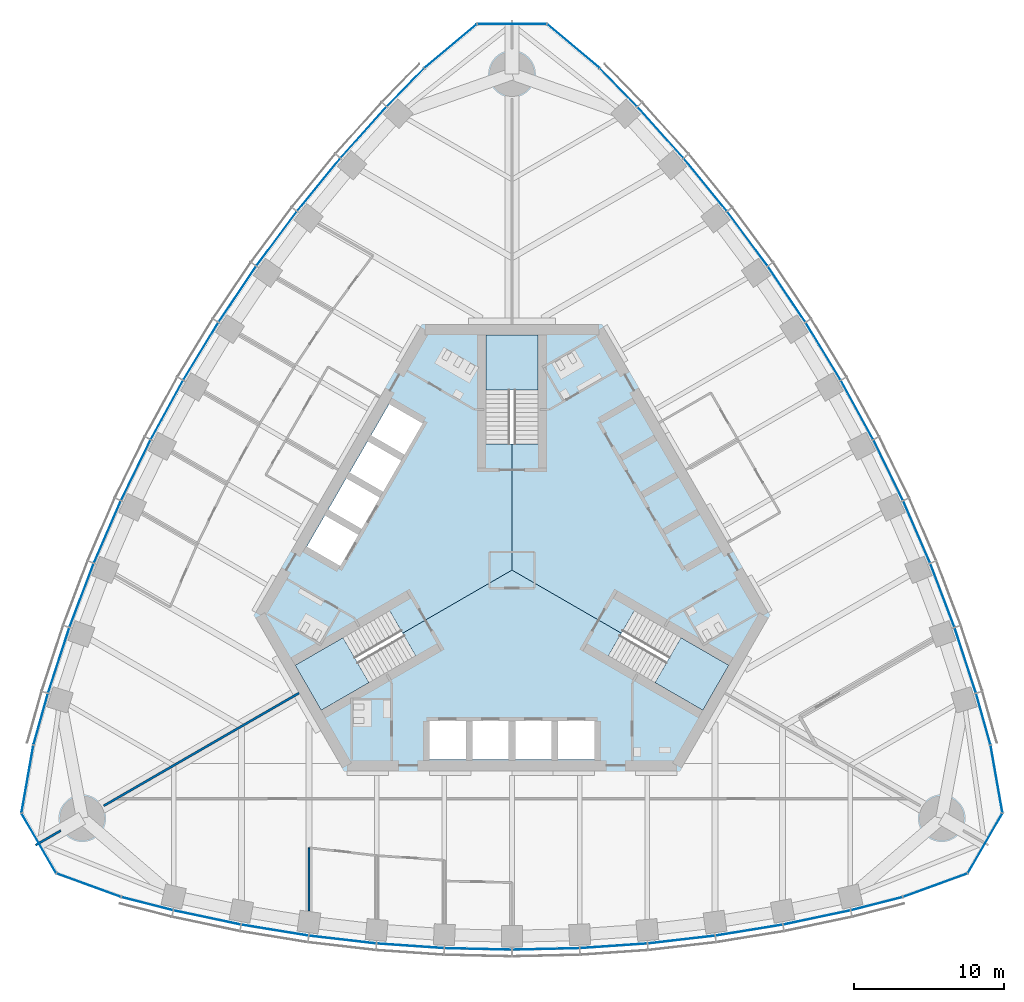
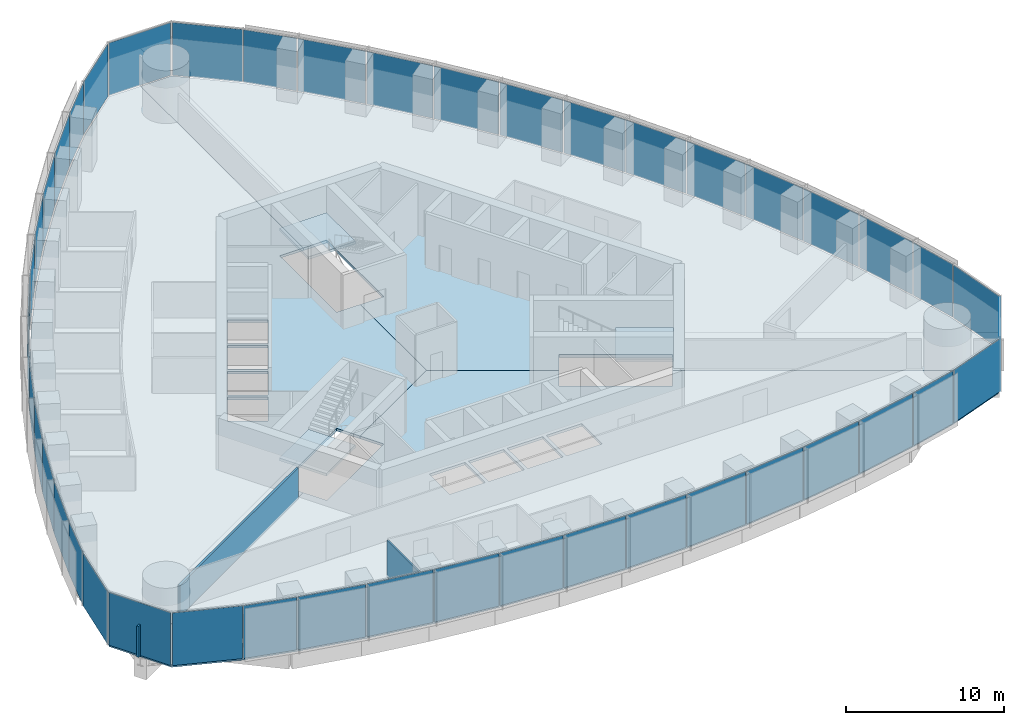
# One storey, part 10 of 19: 45 plates, 6 slabs, 3 walls, 9 elements without a shape of their own.
"""IFC4 building model written with IfcOpenShell, lengths in metres."""

import ifcopenshell
import ifcopenshell.guid

model = None  # the IFC model being written
_history = None  # IfcOwnerHistory: only IFC2X3 demands one
_inside = {}  # id of a spatial element -> (the spatial element, [elements in it])
_under = {}  # id of a project, library or spatial element -> (it, [spatial elements below it])
_declared = {}  # id of a project -> (the project, [libraries it declares])
_typed = {}  # id of a type object -> (the type object, [elements of that type])
_made_of = {}  # id of a material, layer set ... -> (it, [elements and type objects made of it])


def new_model(schema):
    """Start an empty IFC model of exactly this schema.

    Asked for "IFC4X3", IfcOpenShell would pick the latest addendum, in which some entities
    have other attributes; the version numbers below select the first issue.
    IFC2X3 requires an IfcOwnerHistory on every rooted entity: one is made here for all.
    """
    global model, _history
    if schema == "IFC4X3":
        model = ifcopenshell.file(schema_version=(4, 3, 0, 0))
    else:
        model = ifcopenshell.file(schema=schema)
    _inside.clear()
    _under.clear()
    _declared.clear()
    _typed.clear()
    _made_of.clear()
    _history = None
    if model.schema == "IFC2X3":
        org = make("IfcOrganization", Name="unknown")
        user = make(
            "IfcPersonAndOrganization",
            ThePerson=make("IfcPerson", FamilyName="unknown"),
            TheOrganization=org,
        )
        app = make(
            "IfcApplication",
            ApplicationDeveloper=org,
            Version="unknown",
            ApplicationFullName="unknown",
            ApplicationIdentifier="unknown",
        )
        _history = make(
            "IfcOwnerHistory",
            OwningUser=user,
            OwningApplication=app,
            ChangeAction="ADDED",
            CreationDate=0,
        )
    return model


def make(cls, **values):
    """One entity of the class cls with the attributes given. An attribute that is None is left unset."""
    return model.create_entity(
        cls, **{name: value for name, value in values.items() if value is not None}
    )


def rooted(cls, **values):
    """An entity with a GlobalId (a new one), such as an element, a storey or a relation."""
    return make(cls, GlobalId=ifcopenshell.guid.new(), OwnerHistory=_history, **values)


def si_unit(unit_type, name, prefix=None):
    """IfcSIUnit, for example si_unit("LENGTHUNIT", "METRE", prefix="MILLI")."""
    return make("IfcSIUnit", UnitType=unit_type, Prefix=prefix, Name=name)


def assignment(units):
    """IfcUnitAssignment: the units of a project."""
    return None if units is None else make("IfcUnitAssignment", Units=units)


def point(xyz):
    """IfcCartesianPoint."""
    return None if xyz is None else make("IfcCartesianPoint", Coordinates=xyz)


def direction(xyz):
    """IfcDirection."""
    return None if xyz is None else make("IfcDirection", DirectionRatios=xyz)


def frame(location, z_axis=None, x_axis=None):
    """IfcAxis2Placement3D, a coordinate frame: its origin and axes. An axis left out is left unset."""
    return make(
        "IfcAxis2Placement3D",
        Location=point(location),
        Axis=direction(z_axis),
        RefDirection=direction(x_axis),
    )


def frame_2d(location, x_axis=None):
    """IfcAxis2Placement2D, a coordinate frame in the plane: its origin and x axis."""
    return make(
        "IfcAxis2Placement2D", Location=point(location), RefDirection=direction(x_axis)
    )


def origin():
    """The frame at (0, 0, 0) with its axes left unset."""
    return frame((0.0, 0.0, 0.0))


def origin_2d():
    """The frame at (0, 0) in the plane with its x axis left unset."""
    return frame_2d((0.0, 0.0))


def place(relative_to, where):
    """IfcLocalPlacement: puts the frame where relative to a parent placement (None: the world)."""
    return make(
        "IfcLocalPlacement", PlacementRelTo=relative_to, RelativePlacement=where
    )


def context(
    kind, dimensions, precision=None, world=None, true_north=None, identifier=None
):
    """IfcGeometricRepresentationContext, for example the 3D "Model" context."""
    return make(
        "IfcGeometricRepresentationContext",
        ContextIdentifier=identifier,
        ContextType=kind,
        CoordinateSpaceDimension=dimensions,
        Precision=precision,
        WorldCoordinateSystem=world,
        TrueNorth=true_north,
    )


def subcontext(parent, identifier, kind, view, scale=None):
    """IfcGeometricRepresentationSubContext, for example "Body" below "Model"."""
    return make(
        "IfcGeometricRepresentationSubContext",
        ContextIdentifier=identifier,
        ContextType=kind,
        ParentContext=parent,
        TargetScale=scale,
        TargetView=view,
    )


def project(units=None, contexts=None):
    """IfcProject with its units and contexts."""
    return rooted(
        "IfcProject",
        Name="project",
        RepresentationContexts=contexts,
        UnitsInContext=assignment(units),
    )


def spatial(cls, under=None, at=None, **own):
    """A site, building, storey or space (cls), placed at a placement, below another one or the project."""
    s = rooted(cls, ObjectPlacement=at, **own)
    if under is not None:
        _under.setdefault(under.id(), (under, []))[1].append(s)
    return s


def polyline(points):
    """IfcPolyline through the points."""
    return make("IfcPolyline", Points=[point(p) for p in points])


def profile(cls, at=None, kind="AREA", **sizes):
    """A parametric profile (cls). Its sizes go by their IFC names, for example OverallWidth=200.0."""
    return make(cls, ProfileType=kind, Position=at, **sizes)


def rectangle(**sizes):
    """IfcRectangleProfileDef."""
    return profile("IfcRectangleProfileDef", **sizes)


def outline(outer, holes=None, kind="AREA"):
    """IfcArbitraryClosedProfileDef: a profile drawn as a closed curve; with holes, ...WithVoids."""
    if holes is None:
        return make("IfcArbitraryClosedProfileDef", ProfileType=kind, OuterCurve=outer)
    return make(
        "IfcArbitraryProfileDefWithVoids",
        ProfileType=kind,
        OuterCurve=outer,
        InnerCurves=holes,
    )


def extrude(swept, where, along, depth):
    """IfcExtrudedAreaSolid: the profile swept, set in the frame where, extruded along a direction by depth."""
    return make(
        "IfcExtrudedAreaSolid",
        SweptArea=swept,
        Position=where,
        ExtrudedDirection=direction(along),
        Depth=depth,
    )


def shape(context_of_items, identifier, shape_type, items):
    """IfcShapeRepresentation: the items that make up one representation, for example the "Body"."""
    return make(
        "IfcShapeRepresentation",
        ContextOfItems=context_of_items,
        RepresentationIdentifier=identifier,
        RepresentationType=shape_type,
        Items=items,
    )


def material(Name=None, Category=None):
    """IfcMaterial."""
    return make("IfcMaterial", Name=Name, Category=Category)


def layer(
    of_material, thickness, ventilated=None, Name=None, Category=None, Priority=None
):
    """IfcMaterialLayer: one layer of a wall or slab, of a material (None: an air gap)."""
    return make(
        "IfcMaterialLayer",
        Material=of_material,
        LayerThickness=thickness,
        IsVentilated=ventilated,
        Name=Name,
        Category=Category,
        Priority=Priority,
    )


def layer_set(layers, Name=None):
    """IfcMaterialLayerSet."""
    return make("IfcMaterialLayerSet", MaterialLayers=layers, LayerSetName=Name)


def made_of(thing, what):
    """Note that an element or type object is made of a material, layer set ...; save() writes the relation."""
    if what is not None:
        _made_of.setdefault(what.id(), (what, []))[1].append(thing)
    return thing


def type_object(cls, material=None, **own):
    """A type object (cls), such as IfcWallType, which elements share."""
    return made_of(rooted(cls, **own), material)


def element(
    cls,
    number,
    at=None,
    inside=None,
    cuts=None,
    type_object=None,
    material=None,
    context=None,
    identifier="Body",
    shape_type=None,
    held_by="IfcProductDefinitionShape",
    body=None,
    shapes=None,
    **own,
):
    """One element of the class cls, such as IfcWall. Its Tag is "e" and its number.

    at: its placement. inside: the storey or other place that contains it. cuts: it is an
    opening in that element (IfcRelVoidsElement). A single representation is given by context,
    identifier, shape_type and body (its items); several are given by shapes. held_by: the class
    of the entity that holds the representations. save() writes the other relations.
    """
    e = rooted(cls, Tag="e%d" % number, ObjectPlacement=at, **own)
    if body is not None:
        shapes = [shape(context, identifier, shape_type, body)]
    if shapes is not None:
        e.Representation = make(held_by, Representations=shapes)
    if inside is not None:
        _inside.setdefault(inside.id(), (inside, []))[1].append(e)
    if cuts is not None:
        rooted(
            "IfcRelVoidsElement", RelatingBuildingElement=cuts, RelatedOpeningElement=e
        )
    if type_object is not None:
        _typed.setdefault(type_object.id(), (type_object, []))[1].append(e)
    return made_of(e, material)


def aggregate(whole, parts):
    """IfcRelAggregates: a whole, such as a stair, and the parts it consists of."""
    return rooted("IfcRelAggregates", RelatingObject=whole, RelatedObjects=parts)


def save(model, path):
    """Write the relations noted so far, then the file.

    IfcRelAggregates (storeys below a building ...), IfcRelContainedInSpatialStructure (elements
    in a storey), IfcRelDefinesByType, IfcRelAssociatesMaterial and IfcRelDeclares: one each for
    every whole, place, type object, material and project.
    """
    for whole, parts in _under.values():
        aggregate(whole, parts)
    for where, things in _inside.values():
        rooted(
            "IfcRelContainedInSpatialStructure",
            RelatedElements=things,
            RelatingStructure=where,
        )
    for kind, things in _typed.values():
        rooted("IfcRelDefinesByType", RelatedObjects=things, RelatingType=kind)
    for what, things in _made_of.values():
        rooted("IfcRelAssociatesMaterial", RelatedObjects=things, RelatingMaterial=what)
    for by, libraries in _declared.values():
        rooted("IfcRelDeclares", RelatingContext=by, RelatedDefinitions=libraries)
    model.write(path)


model = new_model("IFC4")

# Units and contexts
model_context = context("Model", 3, precision=1e-05, world=origin(), true_north=direction((0.0, 1.0)))
body_context = subcontext(model_context, "Body", "Model", "MODEL_VIEW")
ifc_project = project(units=[si_unit("LENGTHUNIT", "METRE"), si_unit("AREAUNIT", "SQUARE_METRE"), si_unit("VOLUMEUNIT", "CUBIC_METRE"), si_unit("PLANEANGLEUNIT", "RADIAN"), si_unit("MASSUNIT", "GRAM", prefix="KILO")], contexts=[model_context])

# Site, building, storey
site_placement = place(None, origin())
site = spatial("IfcSite", under=ifc_project, at=site_placement, CompositionType="ELEMENT")
building_placement = place(site_placement, origin())
building = spatial("IfcBuilding", under=site, at=building_placement, Name="Trefoil Bronze Tower", CompositionType="ELEMENT")
storey_placement = place(building_placement, frame((0.0, 0.0, 248.5)))
storey = spatial("IfcBuildingStorey", under=building, at=storey_placement, Name="L57", CompositionType="ELEMENT", Elevation=248.5)

# Curtain wall, plates
ifc_material_1 = material(Name="Tinted solar-control glass", Category="glass")
curtain_wall_type_1 = type_object("IfcCurtainWallType", Name="Bronze office curtain wall", PredefinedType="USERDEFINED", material=ifc_material_1)
curtain_wall_1_placement = place(storey_placement, origin())
curtain_wall_1 = element("IfcCurtainWall", 1, at=curtain_wall_1_placement, inside=storey, type_object=curtain_wall_type_1, Name="CW-A L57 F1", ObjectType="CURTAIN WALL", PredefinedType="USERDEFINED")
ifc_material_2 = material(Name="Tinted solar-control glass", Category="glass")
ifc_layer_1 = layer(ifc_material_2, 0.030029296875)
ifc_layer_set_1 = layer_set([ifc_layer_1], Name="Bronze office curtain wall glass panel")
plate_type_1 = type_object("IfcPlateType", Name="Bronze office curtain wall glass panel", PredefinedType="CURTAIN_PANEL", material=ifc_layer_set_1)
plate_1_placement = place(storey_placement, frame((-24.251220703125, -22.188232421875, 0.0), z_axis=(0.0, 0.0, 1.0), x_axis=(0.968934035393, -0.247319297786, 0.0)))
plate_1 = element("IfcPlate", 2, at=plate_1_placement, type_object=plate_type_1, Name="CW-A L57 F1 panel 1", PredefinedType="CURTAIN_PANEL", context=body_context, shape_type="SweptSolid", body=[
    extrude(rectangle(XDim=3.483642578125, YDim=0.030029296875, at=origin_2d()), origin(), (0.0, 0.0, 1.0), 4.080078125),
])
plate_2_placement = place(storey_placement, frame((-20.270751953125, -23.105224609375, 0.0), z_axis=(0.0, 0.0, 1.0), x_axis=(0.978394335897, -0.20674748725, 0.0)))
plate_2 = element("IfcPlate", 3, at=plate_2_placement, type_object=plate_type_1, Name="CW-A L57 F1 panel 2", PredefinedType="CURTAIN_PANEL", context=body_context, shape_type="SweptSolid", body=[
    extrude(rectangle(XDim=4.519287109375, YDim=0.030029296875, at=origin_2d()), origin(), (0.0, 0.0, 1.0), 4.080078125),
])
plate_3_placement = place(storey_placement, frame((-15.76611328125, -23.9482421875, 0.0), z_axis=(0.0, 0.0, 1.0), x_axis=(0.986986549528, -0.160802832848, 0.0)))
plate_3 = element("IfcPlate", 4, at=plate_3_placement, type_object=plate_type_1, Name="CW-A L57 F1 panel 3", PredefinedType="CURTAIN_PANEL", context=body_context, shape_type="SweptSolid", body=[
    extrude(rectangle(XDim=4.479248046875, YDim=0.030029296875, at=origin_2d()), origin(), (0.0, 0.0, 1.0), 4.080078125),
])
plate_4_placement = place(storey_placement, frame((-11.261474609375, -24.57568359375, 0.0), z_axis=(0.0, 0.0, 1.0), x_axis=(0.993381831741, -0.114858767043, 0.0)))
plate_4 = element("IfcPlate", 5, at=plate_4_placement, type_object=plate_type_1, Name="CW-A L57 F1 panel 4", PredefinedType="CURTAIN_PANEL", context=body_context, shape_type="SweptSolid", body=[
    extrude(rectangle(XDim=4.449951171875, YDim=0.030029296875, at=origin_2d()), origin(), (0.0, 0.0, 1.0), 4.080078125),
])
plate_5_placement = place(storey_placement, frame((-6.7568359375, -24.991455078125, 0.0), z_axis=(0.0, 0.0, 1.0), x_axis=(0.99762252804, -0.068915103905, 0.0)))
plate_5 = element("IfcPlate", 6, at=plate_5_placement, type_object=plate_type_1, Name="CW-A L57 F1 panel 5", PredefinedType="CURTAIN_PANEL", context=body_context, shape_type="SweptSolid", body=[
    extrude(rectangle(XDim=4.4306640625, YDim=0.030029296875, at=origin_2d()), origin(), (0.0, 0.0, 1.0), 4.080078125),
])
plate_6_placement = place(storey_placement, frame((-2.252197265625, -25.198974609375, 0.0), z_axis=(0.0, 0.0, 1.0), x_axis=(0.999736116243, -0.022971675577, 0.0)))
plate_6 = element("IfcPlate", 7, at=plate_6_placement, type_object=plate_type_1, Name="CW-A L57 F1 panel 6", PredefinedType="CURTAIN_PANEL", context=body_context, shape_type="SweptSolid", body=[
    extrude(rectangle(XDim=4.421142578125, YDim=0.030029296875, at=origin_2d()), origin(), (0.0, 0.0, 1.0), 4.080078125),
])
plate_7_placement = place(storey_placement, frame((2.252197265625, -25.198974609375, 0.0), z_axis=(0.0, 0.0, 1.0), x_axis=(0.999736116243, 0.022971675577, 0.0)))
plate_7 = element("IfcPlate", 8, at=plate_7_placement, type_object=plate_type_1, Name="CW-A L57 F1 panel 7", PredefinedType="CURTAIN_PANEL", context=body_context, shape_type="SweptSolid", body=[
    extrude(rectangle(XDim=4.421142578125, YDim=0.030029296875, at=origin_2d()), origin(), (0.0, 0.0, 1.0), 4.080078125),
])
plate_8_placement = place(storey_placement, frame((6.7568359375, -24.991455078125, 0.0), z_axis=(0.0, 0.0, 1.0), x_axis=(0.99762252804, 0.068915103905, 0.0)))
plate_8 = element("IfcPlate", 9, at=plate_8_placement, type_object=plate_type_1, Name="CW-A L57 F1 panel 8", PredefinedType="CURTAIN_PANEL", context=body_context, shape_type="SweptSolid", body=[
    extrude(rectangle(XDim=4.4306640625, YDim=0.030029296875, at=origin_2d()), origin(), (0.0, 0.0, 1.0), 4.080078125),
])
plate_9_placement = place(storey_placement, frame((11.261474609375, -24.57568359375, 0.0), z_axis=(0.0, 0.0, 1.0), x_axis=(0.993381831741, 0.114858767043, 0.0)))
plate_9 = element("IfcPlate", 10, at=plate_9_placement, type_object=plate_type_1, Name="CW-A L57 F1 panel 9", PredefinedType="CURTAIN_PANEL", context=body_context, shape_type="SweptSolid", body=[
    extrude(rectangle(XDim=4.449951171875, YDim=0.030029296875, at=origin_2d()), origin(), (0.0, 0.0, 1.0), 4.080078125),
])
plate_10_placement = place(storey_placement, frame((15.76611328125, -23.9482421875, 0.0), z_axis=(0.0, 0.0, 1.0), x_axis=(0.986986549528, 0.160802832848, 0.0)))
plate_10 = element("IfcPlate", 11, at=plate_10_placement, type_object=plate_type_1, Name="CW-A L57 F1 panel 10", PredefinedType="CURTAIN_PANEL", context=body_context, shape_type="SweptSolid", body=[
    extrude(rectangle(XDim=4.479248046875, YDim=0.030029296875, at=origin_2d()), origin(), (0.0, 0.0, 1.0), 4.080078125),
])
plate_11_placement = place(storey_placement, frame((20.270751953125, -23.105224609375, 0.0), z_axis=(0.0, 0.0, 1.0), x_axis=(0.978394335897, 0.20674748725, 0.0)))
plate_11 = element("IfcPlate", 12, at=plate_11_placement, type_object=plate_type_1, Name="CW-A L57 F1 panel 11", PredefinedType="CURTAIN_PANEL", context=body_context, shape_type="SweptSolid", body=[
    extrude(rectangle(XDim=4.519287109375, YDim=0.030029296875, at=origin_2d()), origin(), (0.0, 0.0, 1.0), 4.080078125),
])
plate_12_placement = place(storey_placement, frame((24.251220703125, -22.188232421875, 0.0), z_axis=(0.0, 0.0, 1.0), x_axis=(0.968934035393, 0.247319297786, 0.0)))
plate_12 = element("IfcPlate", 13, at=plate_12_placement, type_object=plate_type_1, Name="CW-A L57 F1 panel 12", PredefinedType="CURTAIN_PANEL", context=body_context, shape_type="SweptSolid", body=[
    extrude(rectangle(XDim=3.483642578125, YDim=0.030029296875, at=origin_2d()), origin(), (0.0, 0.0, 1.0), 4.080078125),
])
aggregate(curtain_wall_1, [plate_1, plate_2, plate_3, plate_4, plate_5, plate_6, plate_7, plate_8, plate_9, plate_10, plate_11, plate_12])

curtain_wall_2_placement = place(storey_placement, origin())
curtain_wall_2 = element("IfcCurtainWall", 14, at=curtain_wall_2_placement, inside=storey, type_object=curtain_wall_type_1, Name="CW-A L57 F2", ObjectType="CURTAIN WALL", PredefinedType="USERDEFINED")
plate_13_placement = place(storey_placement, frame((31.341064453125, -9.907958984375, 0.0), z_axis=(0.0, 0.0, 1.0), x_axis=(-0.270282222968, 0.962781138134, 0.0)))
plate_13 = element("IfcPlate", 15, at=plate_13_placement, type_object=plate_type_1, Name="CW-A L57 F2 panel 1", PredefinedType="CURTAIN_PANEL", context=body_context, shape_type="SweptSolid", body=[
    extrude(rectangle(XDim=3.483642578125, YDim=0.030029296875, at=origin_2d()), origin(), (0.0, 0.0, 1.0), 4.080078125),
])
plate_14_placement = place(storey_placement, frame((30.14501953125, -6.002197265625, 0.0), z_axis=(0.0, 0.0, 1.0), x_axis=(-0.310148591821, 0.950688093431, 0.0)))
plate_14 = element("IfcPlate", 16, at=plate_14_placement, type_object=plate_type_1, Name="CW-A L57 F2 panel 2", PredefinedType="CURTAIN_PANEL", context=body_context, shape_type="SweptSolid", body=[
    extrude(rectangle(XDim=4.519287109375, YDim=0.030029296875, at=origin_2d()), origin(), (0.0, 0.0, 1.0), 4.080078125),
])
plate_15_placement = place(storey_placement, frame((28.622802734375, -1.6796875, 0.0), z_axis=(0.0, 0.0, 1.0), x_axis=(-0.354233936517, 0.935156841508, 0.0)))
plate_15 = element("IfcPlate", 17, at=plate_15_placement, type_object=plate_type_1, Name="CW-A L57 F2 panel 3", PredefinedType="CURTAIN_PANEL", context=body_context, shape_type="SweptSolid", body=[
    extrude(rectangle(XDim=4.479248046875, YDim=0.030029296875, at=origin_2d()), origin(), (0.0, 0.0, 1.0), 4.080078125),
])
plate_16_placement = place(storey_placement, frame((26.913818359375, 2.53515625, 0.0), z_axis=(0.0, 0.0, 1.0), x_axis=(-0.397220305764, 0.917723285467, 0.0)))
plate_16 = element("IfcPlate", 18, at=plate_16_placement, type_object=plate_type_1, Name="CW-A L57 F2 panel 4", PredefinedType="CURTAIN_PANEL", context=body_context, shape_type="SweptSolid", body=[
    extrude(rectangle(XDim=4.449951171875, YDim=0.030029296875, at=origin_2d()), origin(), (0.0, 0.0, 1.0), 4.080078125),
])
plate_17_placement = place(storey_placement, frame((25.021728515625, 6.64404296875, 0.0), z_axis=(0.0, 0.0, 1.0), x_axis=(-0.439129033334, 0.898424004623, 0.0)))
plate_17 = element("IfcPlate", 19, at=plate_17_placement, type_object=plate_type_1, Name="CW-A L57 F2 panel 5", PredefinedType="CURTAIN_PANEL", context=body_context, shape_type="SweptSolid", body=[
    extrude(rectangle(XDim=4.4306640625, YDim=0.030029296875, at=origin_2d()), origin(), (0.0, 0.0, 1.0), 4.080078125),
])
plate_18_placement = place(storey_placement, frame((22.948974609375, 10.64892578125, 0.0), z_axis=(0.0, 0.0, 1.0), x_axis=(-0.479974003504, 0.877282711536, 0.0)))
plate_18 = element("IfcPlate", 20, at=plate_18_placement, type_object=plate_type_1, Name="CW-A L57 F2 panel 6", PredefinedType="CURTAIN_PANEL", context=body_context, shape_type="SweptSolid", body=[
    extrude(rectangle(XDim=4.421142578125, YDim=0.030029296875, at=origin_2d()), origin(), (0.0, 0.0, 1.0), 4.080078125),
])
plate_19_placement = place(storey_placement, frame((20.69677734375, 14.550048828125, 0.0), z_axis=(0.0, 0.0, 1.0), x_axis=(-0.519762112739, 0.854311035959, 0.0)))
plate_19 = element("IfcPlate", 21, at=plate_19_placement, type_object=plate_type_1, Name="CW-A L57 F2 panel 7", PredefinedType="CURTAIN_PANEL", context=body_context, shape_type="SweptSolid", body=[
    extrude(rectangle(XDim=4.421142578125, YDim=0.030029296875, at=origin_2d()), origin(), (0.0, 0.0, 1.0), 4.080078125),
])
plate_20_placement = place(storey_placement, frame((18.264892578125, 18.347412109375, 0.0), z_axis=(0.0, 0.0, 1.0), x_axis=(-0.558493494706, 0.829508900718, 0.0)))
plate_20 = element("IfcPlate", 22, at=plate_20_placement, type_object=plate_type_1, Name="CW-A L57 F2 panel 8", PredefinedType="CURTAIN_PANEL", context=body_context, shape_type="SweptSolid", body=[
    extrude(rectangle(XDim=4.4306640625, YDim=0.030029296875, at=origin_2d()), origin(), (0.0, 0.0, 1.0), 4.080078125),
])
plate_21_placement = place(storey_placement, frame((15.65234375, 22.04052734375, 0.0), z_axis=(0.0, 0.0, 1.0), x_axis=(-0.596161525977, 0.802864518425, 0.0)))
plate_21 = element("IfcPlate", 23, at=plate_21_placement, type_object=plate_type_1, Name="CW-A L57 F2 panel 9", PredefinedType="CURTAIN_PANEL", context=body_context, shape_type="SweptSolid", body=[
    extrude(rectangle(XDim=4.449951171875, YDim=0.030029296875, at=origin_2d()), origin(), (0.0, 0.0, 1.0), 4.080078125),
])
plate_22_placement = place(storey_placement, frame((12.856689453125, 25.6279296875, 0.0), z_axis=(0.0, 0.0, 1.0), x_axis=(-0.63275261301, 0.774354008661, 0.0)))
plate_22 = element("IfcPlate", 24, at=plate_22_placement, type_object=plate_type_1, Name="CW-A L57 F2 panel 10", PredefinedType="CURTAIN_PANEL", context=body_context, shape_type="SweptSolid", body=[
    extrude(rectangle(XDim=4.479248046875, YDim=0.030029296875, at=origin_2d()), origin(), (0.0, 0.0, 1.0), 4.080078125),
])
plate_23_placement = place(storey_placement, frame((9.87451171875, 29.107666015625, 0.0), z_axis=(0.0, 0.0, 1.0), x_axis=(-0.668245744076, 0.743940606181, 0.0)))
plate_23 = element("IfcPlate", 25, at=plate_23_placement, type_object=plate_type_1, Name="CW-A L57 F2 panel 11", PredefinedType="CURTAIN_PANEL", context=body_context, shape_type="SweptSolid", body=[
    extrude(rectangle(XDim=4.519287109375, YDim=0.030029296875, at=origin_2d()), origin(), (0.0, 0.0, 1.0), 4.080078125),
])
plate_24_placement = place(storey_placement, frame((7.08984375, 32.09619140625, 0.0), z_axis=(0.0, 0.0, 1.0), x_axis=(-0.698651812425, 0.715461840349, 0.0)))
plate_24 = element("IfcPlate", 26, at=plate_24_placement, type_object=plate_type_1, Name="CW-A L57 F2 panel 12", PredefinedType="CURTAIN_PANEL", context=body_context, shape_type="SweptSolid", body=[
    extrude(rectangle(XDim=3.483642578125, YDim=0.030029296875, at=origin_2d()), origin(), (0.0, 0.0, 1.0), 4.080078125),
])
aggregate(curtain_wall_2, [plate_13, plate_14, plate_15, plate_16, plate_17, plate_18, plate_19, plate_20, plate_21, plate_22, plate_23, plate_24])

curtain_wall_3_placement = place(storey_placement, origin())
curtain_wall_3 = element("IfcCurtainWall", 27, at=curtain_wall_3_placement, inside=storey, type_object=curtain_wall_type_1, Name="CW-A L57 F3", ObjectType="CURTAIN WALL", PredefinedType="USERDEFINED")
plate_25_placement = place(storey_placement, frame((-7.08984375, 32.09619140625, 0.0), z_axis=(0.0, 0.0, 1.0), x_axis=(-0.698651812425, -0.715461840349, 0.0)))
plate_25 = element("IfcPlate", 28, at=plate_25_placement, type_object=plate_type_1, Name="CW-A L57 F3 panel 1", PredefinedType="CURTAIN_PANEL", context=body_context, shape_type="SweptSolid", body=[
    extrude(rectangle(XDim=3.483642578125, YDim=0.030029296875, at=origin_2d()), origin(), (0.0, 0.0, 1.0), 4.080078125),
])
plate_26_placement = place(storey_placement, frame((-9.87451171875, 29.107666015625, 0.0), z_axis=(0.0, 0.0, 1.0), x_axis=(-0.668245744076, -0.743940606181, 0.0)))
plate_26 = element("IfcPlate", 29, at=plate_26_placement, type_object=plate_type_1, Name="CW-A L57 F3 panel 2", PredefinedType="CURTAIN_PANEL", context=body_context, shape_type="SweptSolid", body=[
    extrude(rectangle(XDim=4.519287109375, YDim=0.030029296875, at=origin_2d()), origin(), (0.0, 0.0, 1.0), 4.080078125),
])
plate_27_placement = place(storey_placement, frame((-12.856689453125, 25.6279296875, 0.0), z_axis=(0.0, 0.0, 1.0), x_axis=(-0.63275261301, -0.774354008661, 0.0)))
plate_27 = element("IfcPlate", 30, at=plate_27_placement, type_object=plate_type_1, Name="CW-A L57 F3 panel 3", PredefinedType="CURTAIN_PANEL", context=body_context, shape_type="SweptSolid", body=[
    extrude(rectangle(XDim=4.479248046875, YDim=0.030029296875, at=origin_2d()), origin(), (0.0, 0.0, 1.0), 4.080078125),
])
plate_28_placement = place(storey_placement, frame((-15.65234375, 22.04052734375, 0.0), z_axis=(0.0, 0.0, 1.0), x_axis=(-0.596161525977, -0.802864518425, 0.0)))
plate_28 = element("IfcPlate", 31, at=plate_28_placement, type_object=plate_type_1, Name="CW-A L57 F3 panel 4", PredefinedType="CURTAIN_PANEL", context=body_context, shape_type="SweptSolid", body=[
    extrude(rectangle(XDim=4.449951171875, YDim=0.030029296875, at=origin_2d()), origin(), (0.0, 0.0, 1.0), 4.080078125),
])
plate_29_placement = place(storey_placement, frame((-18.264892578125, 18.347412109375, 0.0), z_axis=(0.0, 0.0, 1.0), x_axis=(-0.558493494706, -0.829508900718, 0.0)))
plate_29 = element("IfcPlate", 32, at=plate_29_placement, type_object=plate_type_1, Name="CW-A L57 F3 panel 5", PredefinedType="CURTAIN_PANEL", context=body_context, shape_type="SweptSolid", body=[
    extrude(rectangle(XDim=4.4306640625, YDim=0.030029296875, at=origin_2d()), origin(), (0.0, 0.0, 1.0), 4.080078125),
])
plate_30_placement = place(storey_placement, frame((-20.69677734375, 14.550048828125, 0.0), z_axis=(0.0, 0.0, 1.0), x_axis=(-0.519762112739, -0.854311035959, 0.0)))
plate_30 = element("IfcPlate", 33, at=plate_30_placement, type_object=plate_type_1, Name="CW-A L57 F3 panel 6", PredefinedType="CURTAIN_PANEL", context=body_context, shape_type="SweptSolid", body=[
    extrude(rectangle(XDim=4.421142578125, YDim=0.030029296875, at=origin_2d()), origin(), (0.0, 0.0, 1.0), 4.080078125),
])
plate_31_placement = place(storey_placement, frame((-22.948974609375, 10.64892578125, 0.0), z_axis=(0.0, 0.0, 1.0), x_axis=(-0.479974003504, -0.877282711536, 0.0)))
plate_31 = element("IfcPlate", 34, at=plate_31_placement, type_object=plate_type_1, Name="CW-A L57 F3 panel 7", PredefinedType="CURTAIN_PANEL", context=body_context, shape_type="SweptSolid", body=[
    extrude(rectangle(XDim=4.421142578125, YDim=0.030029296875, at=origin_2d()), origin(), (0.0, 0.0, 1.0), 4.080078125),
])
plate_32_placement = place(storey_placement, frame((-25.021728515625, 6.64404296875, 0.0), z_axis=(0.0, 0.0, 1.0), x_axis=(-0.439129033334, -0.898424004623, 0.0)))
plate_32 = element("IfcPlate", 35, at=plate_32_placement, type_object=plate_type_1, Name="CW-A L57 F3 panel 8", PredefinedType="CURTAIN_PANEL", context=body_context, shape_type="SweptSolid", body=[
    extrude(rectangle(XDim=4.4306640625, YDim=0.030029296875, at=origin_2d()), origin(), (0.0, 0.0, 1.0), 4.080078125),
])
plate_33_placement = place(storey_placement, frame((-26.913818359375, 2.53515625, 0.0), z_axis=(0.0, 0.0, 1.0), x_axis=(-0.397220305764, -0.917723285467, 0.0)))
plate_33 = element("IfcPlate", 36, at=plate_33_placement, type_object=plate_type_1, Name="CW-A L57 F3 panel 9", PredefinedType="CURTAIN_PANEL", context=body_context, shape_type="SweptSolid", body=[
    extrude(rectangle(XDim=4.449951171875, YDim=0.030029296875, at=origin_2d()), origin(), (0.0, 0.0, 1.0), 4.080078125),
])
plate_34_placement = place(storey_placement, frame((-28.622802734375, -1.6796875, 0.0), z_axis=(0.0, 0.0, 1.0), x_axis=(-0.354233936517, -0.935156841508, 0.0)))
plate_34 = element("IfcPlate", 37, at=plate_34_placement, type_object=plate_type_1, Name="CW-A L57 F3 panel 10", PredefinedType="CURTAIN_PANEL", context=body_context, shape_type="SweptSolid", body=[
    extrude(rectangle(XDim=4.479248046875, YDim=0.030029296875, at=origin_2d()), origin(), (0.0, 0.0, 1.0), 4.080078125),
])
plate_35_placement = place(storey_placement, frame((-30.14501953125, -6.002197265625, 0.0), z_axis=(0.0, 0.0, 1.0), x_axis=(-0.310148591821, -0.950688093431, 0.0)))
plate_35 = element("IfcPlate", 38, at=plate_35_placement, type_object=plate_type_1, Name="CW-A L57 F3 panel 11", PredefinedType="CURTAIN_PANEL", context=body_context, shape_type="SweptSolid", body=[
    extrude(rectangle(XDim=4.519287109375, YDim=0.030029296875, at=origin_2d()), origin(), (0.0, 0.0, 1.0), 4.080078125),
])
plate_36_placement = place(storey_placement, frame((-31.341064453125, -9.907958984375, 0.0), z_axis=(0.0, 0.0, 1.0), x_axis=(-0.270282222968, -0.962781138134, 0.0)))
plate_36 = element("IfcPlate", 39, at=plate_36_placement, type_object=plate_type_1, Name="CW-A L57 F3 panel 12", PredefinedType="CURTAIN_PANEL", context=body_context, shape_type="SweptSolid", body=[
    extrude(rectangle(XDim=3.483642578125, YDim=0.030029296875, at=origin_2d()), origin(), (0.0, 0.0, 1.0), 4.080078125),
])
aggregate(curtain_wall_3, [plate_25, plate_26, plate_27, plate_28, plate_29, plate_30, plate_31, plate_32, plate_33, plate_34, plate_35, plate_36])

ifc_material_3 = material(Name="Tinted solar-control glass", Category="glass")
curtain_wall_type_2 = type_object("IfcCurtainWallType", Name="Bronze rounded corner curtain wall", PredefinedType="USERDEFINED", material=ifc_material_3)
curtain_wall_4_placement = place(storey_placement, origin())
curtain_wall_4 = element("IfcCurtainWall", 40, at=curtain_wall_4_placement, inside=storey, type_object=curtain_wall_type_2, Name="CW-B L57 K1", ObjectType="CURTAIN WALL", PredefinedType="USERDEFINED")
ifc_material_4 = material(Name="Tinted solar-control glass", Category="glass")
ifc_layer_2 = layer(ifc_material_4, 0.030029296875)
ifc_layer_set_2 = layer_set([ifc_layer_2], Name="Bronze rounded corner curtain wall glass panel")
plate_type_2 = type_object("IfcPlateType", Name="Bronze rounded corner curtain wall glass panel", PredefinedType="CURTAIN_PANEL", material=ifc_layer_set_2)
plate_37_placement = place(storey_placement, frame((28.1298828125, -20.96484375, 0.0), z_axis=(0.0, 0.0, 1.0), x_axis=(0.939692620786, 0.342020143326, 0.0)))
plate_37 = element("IfcPlate", 41, at=plate_37_placement, type_object=plate_type_2, Name="CW-B L57 K1 panel 1", PredefinedType="CURTAIN_PANEL", context=body_context, shape_type="SweptSolid", body=[
    extrude(rectangle(XDim=4.500244140625, YDim=0.030029296875, at=origin_2d()), origin(), (0.0, 0.0, 1.0), 4.080078125),
])
plate_38_placement = place(storey_placement, frame((31.46484375, -18.166259765625, 0.0), z_axis=(0.0, 0.0, 1.0), x_axis=(0.5, 0.866025403784, 0.0)))
plate_38 = element("IfcPlate", 42, at=plate_38_placement, type_object=plate_type_2, Name="CW-B L57 K1 panel 2", PredefinedType="CURTAIN_PANEL", context=body_context, shape_type="SweptSolid", body=[
    extrude(rectangle(XDim=4.500244140625, YDim=0.030029296875, at=origin_2d()), origin(), (0.0, 0.0, 1.0), 4.080078125),
])
plate_39_placement = place(storey_placement, frame((32.220947265625, -13.878662109375, 0.0), z_axis=(0.0, 0.0, 1.0), x_axis=(-0.173648177667, 0.984807753012, 0.0)))
plate_39 = element("IfcPlate", 43, at=plate_39_placement, type_object=plate_type_2, Name="CW-B L57 K1 panel 3", PredefinedType="CURTAIN_PANEL", context=body_context, shape_type="SweptSolid", body=[
    extrude(rectangle(XDim=4.500244140625, YDim=0.030029296875, at=origin_2d()), origin(), (0.0, 0.0, 1.0), 4.080078125),
])
aggregate(curtain_wall_4, [plate_37, plate_38, plate_39])

curtain_wall_5_placement = place(storey_placement, origin())
curtain_wall_5 = element("IfcCurtainWall", 44, at=curtain_wall_5_placement, inside=storey, type_object=curtain_wall_type_2, Name="CW-B L57 K2", ObjectType="CURTAIN WALL", PredefinedType="USERDEFINED")
plate_40_placement = place(storey_placement, frame((4.091064453125, 34.843505859375, 0.0), z_axis=(0.0, 0.0, 1.0), x_axis=(-0.766044443119, 0.642787609687, 0.0)))
plate_40 = element("IfcPlate", 45, at=plate_40_placement, type_object=plate_type_2, Name="CW-B L57 K2 panel 1", PredefinedType="CURTAIN_PANEL", context=body_context, shape_type="SweptSolid", body=[
    extrude(rectangle(XDim=4.500244140625, YDim=0.030029296875, at=origin_2d()), origin(), (0.0, 0.0, 1.0), 4.080078125),
])
plate_41_placement = place(storey_placement, frame((0.0, 36.33251953125, 0.0), z_axis=(0.0, 0.0, 1.0), x_axis=(-1.0, 0.0, 0.0)))
plate_41 = element("IfcPlate", 46, at=plate_41_placement, type_object=plate_type_2, Name="CW-B L57 K2 panel 2", PredefinedType="CURTAIN_PANEL", context=body_context, shape_type="SweptSolid", body=[
    extrude(rectangle(XDim=4.500244140625, YDim=0.030029296875, at=origin_2d()), origin(), (0.0, 0.0, 1.0), 4.080078125),
])
plate_42_placement = place(storey_placement, frame((-4.091064453125, 34.843505859375, 0.0), z_axis=(0.0, 0.0, 1.0), x_axis=(-0.766044443119, -0.642787609687, 0.0)))
plate_42 = element("IfcPlate", 47, at=plate_42_placement, type_object=plate_type_2, Name="CW-B L57 K2 panel 3", PredefinedType="CURTAIN_PANEL", context=body_context, shape_type="SweptSolid", body=[
    extrude(rectangle(XDim=4.500244140625, YDim=0.030029296875, at=origin_2d()), origin(), (0.0, 0.0, 1.0), 4.080078125),
])
aggregate(curtain_wall_5, [plate_40, plate_41, plate_42])

curtain_wall_6_placement = place(storey_placement, origin())
curtain_wall_6 = element("IfcCurtainWall", 48, at=curtain_wall_6_placement, inside=storey, type_object=curtain_wall_type_2, Name="CW-B L57 K3", ObjectType="CURTAIN WALL", PredefinedType="USERDEFINED")
plate_43_placement = place(storey_placement, frame((-32.220947265625, -13.878662109375, 0.0), z_axis=(0.0, 0.0, 1.0), x_axis=(-0.173648177667, -0.984807753012, 0.0)))
plate_43 = element("IfcPlate", 49, at=plate_43_placement, type_object=plate_type_2, Name="CW-B L57 K3 panel 1", PredefinedType="CURTAIN_PANEL", context=body_context, shape_type="SweptSolid", body=[
    extrude(rectangle(XDim=4.500244140625, YDim=0.030029296875, at=origin_2d()), origin(), (0.0, 0.0, 1.0), 4.080078125),
])
plate_44_placement = place(storey_placement, frame((-31.46484375, -18.166259765625, 0.0), z_axis=(0.0, 0.0, 1.0), x_axis=(0.5, -0.866025403784, 0.0)))
plate_44 = element("IfcPlate", 50, at=plate_44_placement, type_object=plate_type_2, Name="CW-B L57 K3 panel 2", PredefinedType="CURTAIN_PANEL", context=body_context, shape_type="SweptSolid", body=[
    extrude(rectangle(XDim=4.500244140625, YDim=0.030029296875, at=origin_2d()), origin(), (0.0, 0.0, 1.0), 4.080078125),
])
plate_45_placement = place(storey_placement, frame((-28.1298828125, -20.96484375, 0.0), z_axis=(0.0, 0.0, 1.0), x_axis=(0.939692620786, -0.342020143326, 0.0)))
plate_45 = element("IfcPlate", 51, at=plate_45_placement, type_object=plate_type_2, Name="CW-B L57 K3 panel 3", PredefinedType="CURTAIN_PANEL", context=body_context, shape_type="SweptSolid", body=[
    extrude(rectangle(XDim=4.500244140625, YDim=0.030029296875, at=origin_2d()), origin(), (0.0, 0.0, 1.0), 4.080078125),
])
aggregate(curtain_wall_6, [plate_43, plate_44, plate_45])

# Slabs
ifc_material_5 = material(Name="Concrete B30", Category="concrete")
ifc_layer_3 = layer(ifc_material_5, 0.199951171875)
ifc_layer_set_3 = layer_set([ifc_layer_3], Name="Floor slab 200")
slab_type_1 = type_object("IfcSlabType", Name="Floor slab 200", PredefinedType="FLOOR", material=ifc_layer_set_3)
slab_1_placement = place(storey_placement, frame((0.0, 0.0, -0.199951171875)))
element("IfcSlab", 52, at=slab_1_placement, inside=storey, type_object=slab_type_1, Name="Floor slab L57 face 1", PredefinedType="FLOOR", context=body_context, shape_type="SweptSolid", body=[
    extrude(outline(polyline([(18.0, -23.48291015625), (13.5, -24.216064453125), (9.0, -24.736328125), (4.5, -25.047119140625), (0.0, -25.150634765625), (-4.5, -25.047119140625), (-9.0, -24.736328125), (-13.5, -24.216064453125), (-18.0, -23.48291015625), (-22.5, -22.531982421875), (-25.952880859375, -21.650634765625), (-30.23828125, -20.0908203125), (-31.37841796875, -18.1162109375), (-13.510009765625, -7.800048828125), (-12.6474609375, -9.2939453125), (-6.412109375, -5.69384765625), (-7.274658203125, -4.199951171875), (0.0, 0.0), (7.274658203125, -4.199951171875), (6.412109375, -5.69384765625), (12.6474609375, -9.2939453125), (13.510009765625, -7.800048828125), (31.37841796875, -18.1162109375), (30.23828125, -20.0908203125), (25.952880859375, -21.650634765625), (22.5, -22.531982421875), (18.0, -23.48291015625)]), holes=[polyline([(-5.574951171875, -10.02490234375), (-2.97509765625, -10.02490234375), (-2.97509765625, -12.60009765625), (-5.574951171875, -12.60009765625), (-5.574951171875, -10.02490234375)]), polyline([(-2.72509765625, -10.02490234375), (-0.125, -10.02490234375), (-0.125, -12.60009765625), (-2.72509765625, -12.60009765625), (-2.72509765625, -10.02490234375)]), polyline([(0.125, -10.02490234375), (2.72509765625, -10.02490234375), (2.72509765625, -12.60009765625), (0.125, -12.60009765625), (0.125, -10.02490234375)]), polyline([(2.97509765625, -10.02490234375), (5.574951171875, -10.02490234375), (5.574951171875, -12.60009765625), (2.97509765625, -12.60009765625), (2.97509765625, -10.02490234375)])]), origin(), (0.0, 0.0, 1.0), 0.199951171875),
])
slab_2_placement = place(storey_placement, frame((0.0, 0.0, -0.199951171875)))
element("IfcSlab", 53, at=slab_2_placement, inside=storey, type_object=slab_type_1, Name="Floor slab L57 face 2", PredefinedType="FLOOR", context=body_context, shape_type="SweptSolid", body=[
    extrude(outline(polyline([(11.3369140625, 27.329833984375), (14.2216796875, 23.79931640625), (16.92236328125, 20.162353515625), (19.441650390625, 16.420654296875), (21.781005859375, 12.575439453125), (23.941650390625, 8.62646484375), (25.92236328125, 4.573974609375), (27.7216796875, 0.416748046875), (29.3369140625, -3.846923828125), (30.76318359375, -8.219482421875), (31.7265625, -11.650634765625), (32.518310546875, -16.1416015625), (31.37841796875, -18.1162109375), (13.510009765625, -7.800048828125), (14.37255859375, -6.30615234375), (8.13720703125, -2.7060546875), (7.274658203125, -4.199951171875), (0.0, 0.0), (0.0, 8.39990234375), (1.72509765625, 8.39990234375), (1.72509765625, 15.60009765625), (0.0, 15.60009765625), (0.0, 36.232666015625), (2.280029296875, 36.232666015625), (5.7734375, 33.30126953125), (8.26318359375, 30.75146484375), (11.3369140625, 27.329833984375)])), origin(), (0.0, 0.0, 1.0), 0.199951171875),
])
slab_3_placement = place(storey_placement, frame((0.0, 0.0, -0.199951171875)))
element("IfcSlab", 54, at=slab_3_placement, inside=storey, type_object=slab_type_1, Name="Floor slab L57 face 3", PredefinedType="FLOOR", context=body_context, shape_type="SweptSolid", body=[
    extrude(outline(polyline([(-29.3369140625, -3.846923828125), (-27.7216796875, 0.416748046875), (-25.92236328125, 4.573974609375), (-23.941650390625, 8.62646484375), (-21.781005859375, 12.575439453125), (-19.441650390625, 16.420654296875), (-16.92236328125, 20.162353515625), (-14.2216796875, 23.79931640625), (-11.3369140625, 27.329833984375), (-8.26318359375, 30.75146484375), (-5.7734375, 33.30126953125), (-2.280029296875, 36.232666015625), (0.0, 36.232666015625), (0.0, 15.60009765625), (-1.72509765625, 15.60009765625), (-1.72509765625, 8.39990234375), (0.0, 8.39990234375), (0.0, 0.0), (-7.274658203125, -4.199951171875), (-8.13720703125, -2.7060546875), (-14.37255859375, -6.30615234375), (-13.510009765625, -7.800048828125), (-31.37841796875, -18.1162109375), (-32.518310546875, -16.1416015625), (-31.7265625, -11.650634765625), (-30.76318359375, -8.219482421875), (-29.3369140625, -3.846923828125)]), holes=[polyline([(-5.894287109375, 9.840576171875), (-7.1943359375, 7.5888671875), (-9.42431640625, 8.87646484375), (-8.12451171875, 11.128173828125), (-5.894287109375, 9.840576171875)]), polyline([(-7.3193359375, 7.372314453125), (-8.619384765625, 5.120849609375), (-10.849365234375, 6.408203125), (-9.54931640625, 8.659912109375), (-7.3193359375, 7.372314453125)]), polyline([(-8.744384765625, 4.904296875), (-10.04443359375, 2.652587890625), (-12.2744140625, 3.940185546875), (-10.974365234375, 6.191650390625), (-8.744384765625, 4.904296875)]), polyline([(-10.16943359375, 2.43603515625), (-11.469482421875, 0.184326171875), (-13.699462890625, 1.471923828125), (-12.3994140625, 3.7236328125), (-10.16943359375, 2.43603515625)])]), origin(), (0.0, 0.0, 1.0), 0.199951171875),
])

# Stair, slab
ifc_material_6 = material(Name="Precast concrete B80", Category="concrete")
stair_type = type_object("IfcStairType", Name="Exit stair 26 risers", PredefinedType="HALF_TURN_STAIR", material=ifc_material_6)
stair_1_placement = place(storey_placement, origin())
stair_1 = element("IfcStair", 55, at=stair_1_placement, inside=storey, type_object=stair_type, Name="Stair ST1 L57", PredefinedType="HALF_TURN_STAIR")
ifc_material_7 = material(Name="Concrete B30", Category="concrete")
ifc_layer_4 = layer(ifc_material_7, 0.199951171875)
ifc_layer_set_4 = layer_set([ifc_layer_4], Name="Stair landing 200")
slab_type_2 = type_object("IfcSlabType", Name="Stair landing 200", PredefinedType="LANDING", material=ifc_layer_set_4)
slab_4_placement = place(storey_placement, frame((0.0, 0.0, 1.89990234375)))
slab_4 = element("IfcSlab", 56, at=slab_4_placement, type_object=slab_type_2, Name="ST1 landing 1", PredefinedType="LANDING", context=body_context, shape_type="SweptSolid", body=[
    extrude(outline(polyline([(9.512451171875, -7.48388671875), (12.69091796875, -9.31884765625), (14.415771484375, -6.3310546875), (11.237548828125, -4.49609375), (9.512451171875, -7.48388671875)])), origin(), (0.0, 0.0, 1.0), 0.2001953125),
])
aggregate(stair_1, [slab_4])

stair_2_placement = place(storey_placement, origin())
stair_2 = element("IfcStair", 57, at=stair_2_placement, inside=storey, type_object=stair_type, Name="Stair ST2 L57", PredefinedType="HALF_TURN_STAIR")
slab_5_placement = place(storey_placement, frame((0.0, 0.0, 1.89990234375)))
slab_5 = element("IfcSlab", 58, at=slab_5_placement, type_object=slab_type_2, Name="ST2 landing 1", PredefinedType="LANDING", context=body_context, shape_type="SweptSolid", body=[
    extrude(outline(polyline([(1.72509765625, 11.97998046875), (1.72509765625, 15.64990234375), (-1.72509765625, 15.64990234375), (-1.72509765625, 11.97998046875), (1.72509765625, 11.97998046875)])), origin(), (0.0, 0.0, 1.0), 0.2001953125),
])
aggregate(stair_2, [slab_5])

stair_3_placement = place(storey_placement, origin())
stair_3 = element("IfcStair", 59, at=stair_3_placement, inside=storey, type_object=stair_type, Name="Stair ST3 L57", PredefinedType="HALF_TURN_STAIR")
slab_6_placement = place(storey_placement, frame((0.0, 0.0, 1.89990234375)))
slab_6 = element("IfcSlab", 60, at=slab_6_placement, type_object=slab_type_2, Name="ST3 landing 1", PredefinedType="LANDING", context=body_context, shape_type="SweptSolid", body=[
    extrude(outline(polyline([(-11.237548828125, -4.49609375), (-14.415771484375, -6.3310546875), (-12.69091796875, -9.31884765625), (-9.512451171875, -7.48388671875), (-11.237548828125, -4.49609375)])), origin(), (0.0, 0.0, 1.0), 0.2001953125),
])
aggregate(stair_3, [slab_6])

# Walls
ifc_material_8 = material(Name="Glazed partition", Category="glass")
ifc_layer_5 = layer(ifc_material_8, 0.1201171875)
ifc_layer_set_5 = layer_set([ifc_layer_5], Name="Glazed partition 120")
wall_type_1 = type_object("IfcWallType", Name="Glazed partition 120", PredefinedType="PARTITIONING", material=ifc_layer_set_5)
wall_1_placement = place(storey_placement, frame((-13.5, -18.466064453125, 0.0), z_axis=(0.0, 0.0, 1.0), x_axis=(0.0, -1.0, 0.0)))
element("IfcWall", 61, at=wall_1_placement, inside=storey, type_object=wall_type_1, Name="Partition F1 L57", PredefinedType="PARTITIONING", context=body_context, shape_type="SweptSolid", body=[
    extrude(rectangle(XDim=4.205322265625, YDim=0.1201171875, at=frame_2d((2.1025390625, 0.0))), origin(), (0.0, 0.0, 1.0), 2.800048828125),
])
ifc_material_9 = material(Name="Gypsum board on steel studs", Category="steel")
ifc_layer_6 = layer(ifc_material_9, 0.14990234375)
ifc_layer_set_6 = layer_set([ifc_layer_6], Name="Party wall 150")
wall_type_2 = type_object("IfcWallType", Name="Party wall 150", PredefinedType="PARTITIONING", material=ifc_layer_set_6)
wall_2_placement = place(storey_placement, frame((-14.159423828125, -8.175048828125, 0.0), z_axis=(0.0, 0.0, 1.0), x_axis=(-0.866027028085, -0.499997186618, 0.0)))
element("IfcWall", 62, at=wall_2_placement, inside=storey, type_object=wall_type_2, Name="Party wall K3 L57", PredefinedType="PARTITIONING", context=body_context, shape_type="SweptSolid", body=[
    extrude(rectangle(XDim=15.0, YDim=0.14990234375, at=frame_2d((7.5, 0.0))), origin(), (0.0, 0.0, 1.0), 2.39990234375),
])
wall_3_placement = place(storey_placement, frame((-30.0078125, -17.324951171875, 0.0), z_axis=(0.0, 0.0, 1.0), x_axis=(-0.866013246922, -0.500021055713, 0.0)))
element("IfcWall", 63, at=wall_3_placement, inside=storey, type_object=wall_type_2, Name="Party wall K3 L57", PredefinedType="PARTITIONING", context=body_context, shape_type="SweptSolid", body=[
    extrude(rectangle(XDim=1.9345703125, YDim=0.14990234375, at=frame_2d((0.96728515625, 0.0))), origin(), (0.0, 0.0, 1.0), 2.39990234375),
])

save(model, "model.ifc")
